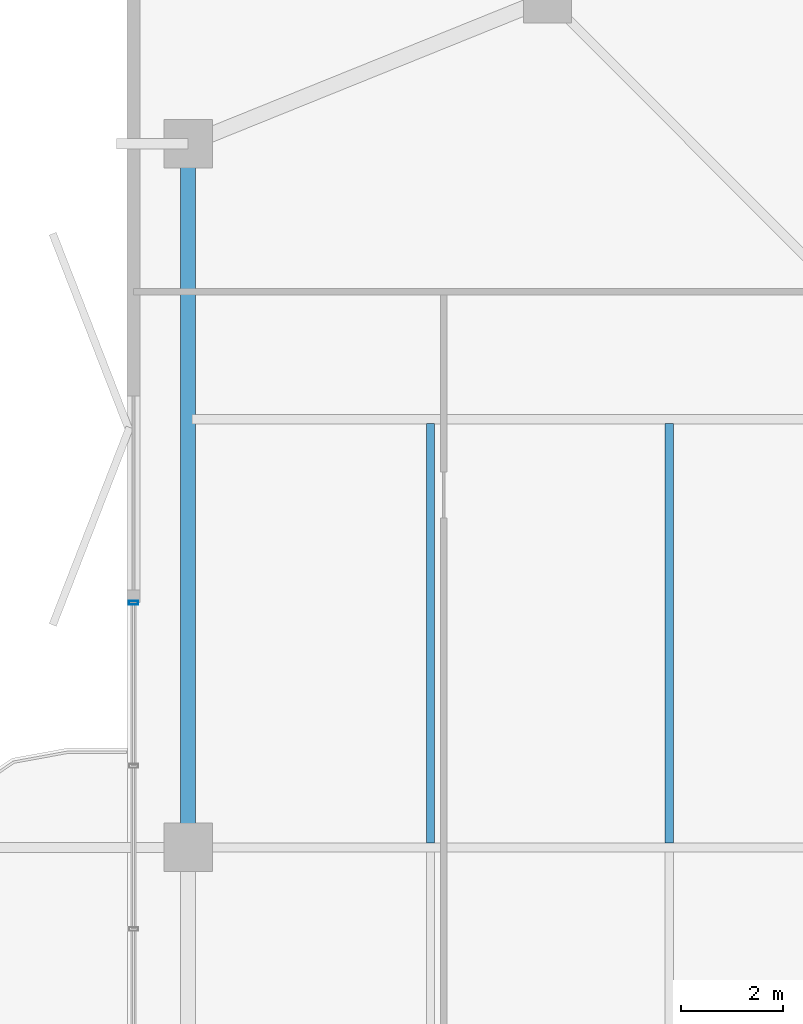
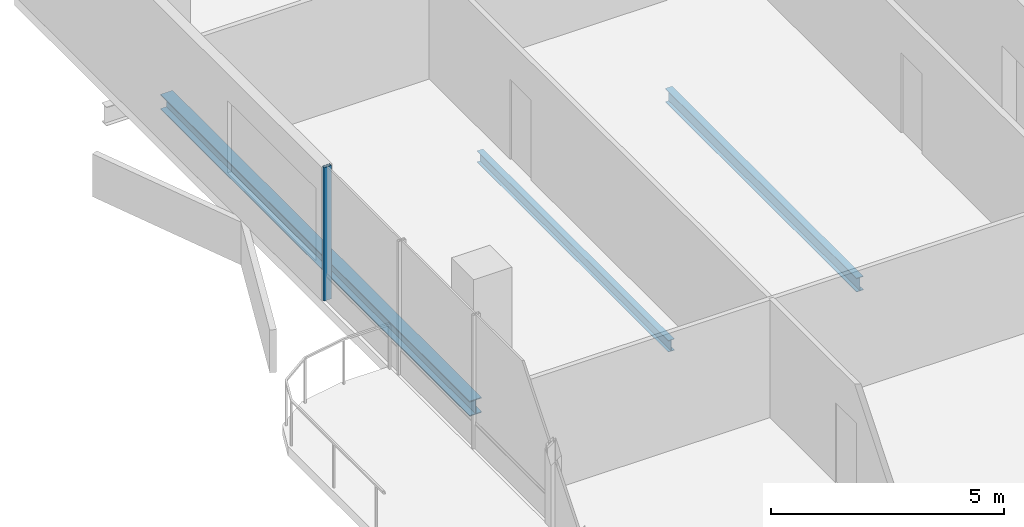
# One storey, part 11 of 25: 3 beams, 1 member, 1 element without a shape of its own.
"""IFC4 building model written with IfcOpenShell, lengths in metres."""

from ifc_helpers import new_model, si_unit, direction, frame, origin, origin_2d, place, context, subcontext, project, spatial, hollow_rectangle, i_section, extrude, material, layer, layer_set, material_profile, profile_set, type_object, element, aggregate, save


model = new_model("IFC4")

# Units and contexts
model_context = context("Model", 3, precision=1e-05, world=origin(), true_north=direction((0.0, 1.0)))
body_context = subcontext(model_context, "Body", "Model", "MODEL_VIEW")
ifc_project = project(units=[si_unit("LENGTHUNIT", "METRE"), si_unit("AREAUNIT", "SQUARE_METRE"), si_unit("VOLUMEUNIT", "CUBIC_METRE"), si_unit("PLANEANGLEUNIT", "RADIAN"), si_unit("MASSUNIT", "GRAM", prefix="KILO")], contexts=[model_context])

# Site, building, storey
site_placement = place(None, origin())
site = spatial("IfcSite", under=ifc_project, at=site_placement, CompositionType="ELEMENT")
building_placement = place(site_placement, origin())
building = spatial("IfcBuilding", under=site, at=building_placement, Name="Belovzor Exchange Tower", CompositionType="ELEMENT")
storey_placement = place(building_placement, frame((0.0, 0.0, 269.10009765625)))
storey = spatial("IfcBuildingStorey", under=building, at=storey_placement, Name="L67", CompositionType="ELEMENT", Elevation=269.10009765625)

# Beams
ifc_material_1 = material(Name="Steel S355", Category="steel")
ifc_material_profile_1 = material_profile(ifc_material_1, i_section(OverallWidth=0.169921875, OverallDepth=0.360107421875, WebThickness=0.008056640625, FlangeThickness=0.0126953125, at=origin_2d()))
ifc_profile_set_1 = profile_set([ifc_material_profile_1], Name="Steel S355")
beam_type_1 = type_object("IfcBeamType", Name="Secondary Infill Floor Joist IPE 360", PredefinedType="BEAM", material=ifc_profile_set_1)
beam_1_placement = place(storey_placement, frame((14.534912109375, 28.889892578125, -0.43017578125), z_axis=(0.0, 1.0, 0.0), x_axis=(-1.0, 0.0, 0.0)))
element("IfcBeam", 1, at=beam_1_placement, inside=storey, type_object=beam_type_1, Name="FJ-360 Secondary Infill Floor Joist IPE 360", PredefinedType="BEAM", context=body_context, shape_type="SweptSolid", body=[
    extrude(i_section(OverallWidth=0.169921875, OverallDepth=0.360107421875, WebThickness=0.008056640625, FlangeThickness=0.0126953125, at=origin_2d()), origin(), (0.0, 0.0, 1.0), 8.22021484375),
])
ifc_material_2 = material(Name="Steel S355", Category="steel")
ifc_material_profile_2 = material_profile(ifc_material_2, i_section(OverallWidth=0.14990234375, OverallDepth=0.300048828125, WebThickness=0.007080078125, FlangeThickness=0.0107421875, at=origin_2d()))
ifc_profile_set_2 = profile_set([ifc_material_profile_2], Name="Steel S355")
beam_type_2 = type_object("IfcBeamType", Name="Secondary Trim Floor Joist IPE 300", PredefinedType="BEAM", material=ifc_profile_set_2)
beam_2_placement = place(storey_placement, frame((9.85498046875, 28.889892578125, -0.400146484375), z_axis=(0.0, 1.0, 0.0), x_axis=(-1.0, 0.0, 0.0)))
element("IfcBeam", 2, at=beam_2_placement, inside=storey, type_object=beam_type_2, Name="FJ-300 Secondary Trim Floor Joist IPE 300", PredefinedType="BEAM", context=body_context, shape_type="SweptSolid", body=[
    extrude(i_section(OverallWidth=0.14990234375, OverallDepth=0.300048828125, WebThickness=0.007080078125, FlangeThickness=0.0107421875, at=origin_2d()), origin(), (0.0, 0.0, 1.0), 8.22021484375),
])

# Curtain wall, member
ifc_material_3 = material(Name="Anodised Aluminium Framing", Category="aluminium")
ifc_layer = layer(ifc_material_3, 0.179931640625)
ifc_layer_set = layer_set([ifc_layer], Name="Anodised Aluminium Framing")
curtain_wall_type = type_object("IfcCurtainWallType", Name="Recessed Loggia Low-Iron Triple-Glazed Curtain Wall", PredefinedType="NOTDEFINED", material=ifc_layer_set)
curtain_wall_placement = place(storey_placement, origin())
curtain_wall = element("IfcCurtainWall", 3, at=curtain_wall_placement, inside=storey, type_object=curtain_wall_type, Name="CW3 Recessed Loggia Low-Iron Triple-Glazed Curtain Wall L67", PredefinedType="NOTDEFINED")
ifc_material_4 = material(Name="Steel S355", Category="steel")
ifc_material_profile_3 = material_profile(ifc_material_4, hollow_rectangle(XDim=0.074951171875, YDim=0.179931640625, WallThickness=0.0048828125, at=origin_2d()))
ifc_profile_set_3 = profile_set([ifc_material_profile_3], Name="Steel S355")
member_type = type_object("IfcMemberType", Name="Thermally Broken Curtain Wall Mullion 180x75", PredefinedType="MULLION", material=ifc_profile_set_3)
member_placement = place(storey_placement, frame((4.030029296875, 33.60009765625, 0.0), z_axis=(0.0, 0.0, 1.0), x_axis=(0.0, 1.0, 0.0)))
member = element("IfcMember", 4, at=member_placement, type_object=member_type, Name="CW-M180 Curtain Wall Mullion 4", PredefinedType="MULLION", context=body_context, shape_type="SweptSolid", body=[
    extrude(hollow_rectangle(XDim=0.074951171875, YDim=0.179931640625, WallThickness=0.0048828125, at=origin_2d()), origin(), (0.0, 0.0, 1.0), 3.5),
])
aggregate(curtain_wall, [member])

# Beam
ifc_material_5 = material(Name="Steel S355", Category="steel")
ifc_material_profile_4 = material_profile(ifc_material_5, i_section(OverallWidth=0.300048828125, OverallDepth=0.39990234375, WebThickness=0.013427734375, FlangeThickness=0.02392578125, at=origin_2d()))
ifc_profile_set_4 = profile_set([ifc_material_profile_4], Name="Steel S355")
beam_type_3 = type_object("IfcBeamType", Name="Zone 5 Primary Girder HEB 400", PredefinedType="BEAM", material=ifc_profile_set_4)
beam_3_placement = place(storey_placement, frame((5.10009765625, 42.339111328125, -0.4501953125), z_axis=(0.0, -1.0, 0.0), x_axis=(1.0, 0.0, 0.0)))
element("IfcBeam", 5, at=beam_3_placement, inside=storey, type_object=beam_type_3, Name="FG-Z5 Zone 5 Primary Girder HEB 400", PredefinedType="BEAM", context=body_context, shape_type="SweptSolid", body=[
    extrude(i_section(OverallWidth=0.300048828125, OverallDepth=0.39990234375, WebThickness=0.013427734375, FlangeThickness=0.02392578125, at=origin_2d()), origin(), (0.0, 0.0, 1.0), 13.278076171875),
])

save(model, "model.ifc")
